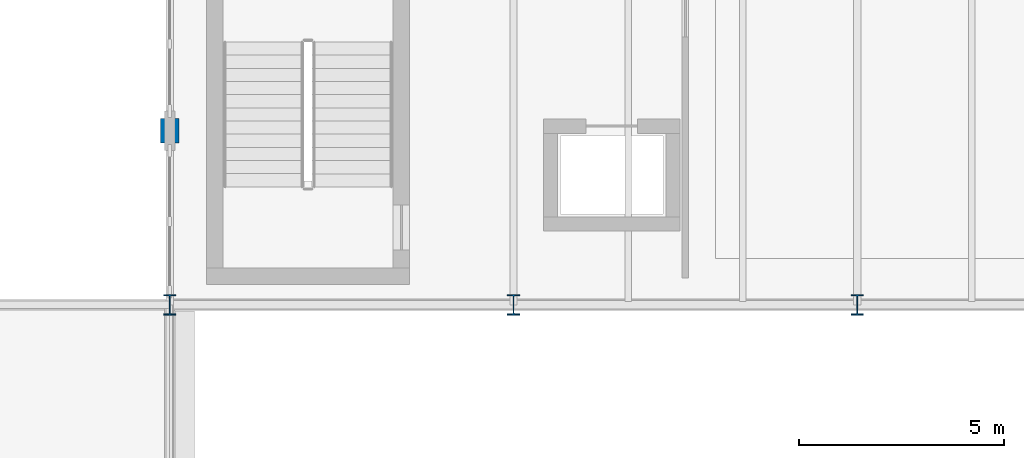
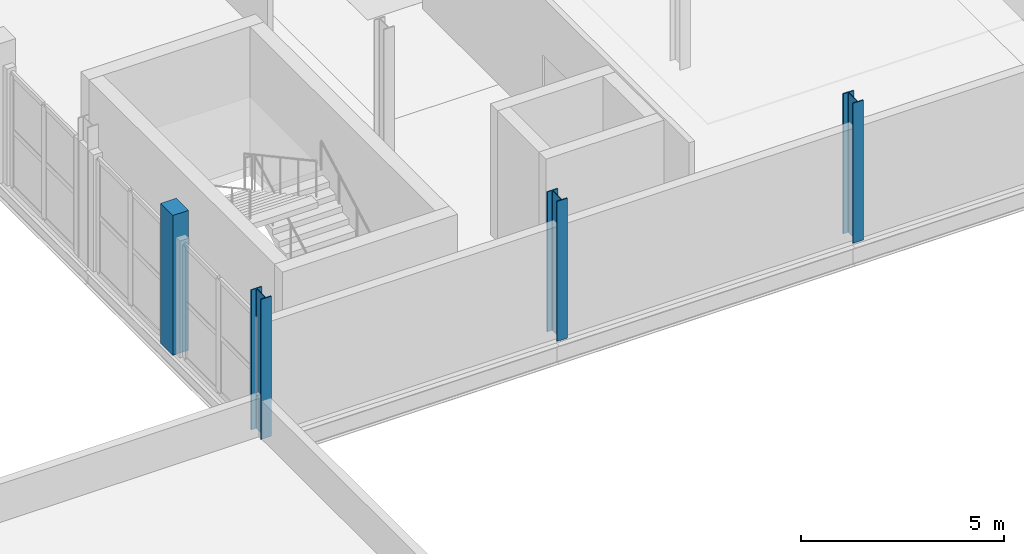
# One storey, part 2 of 58: 4 columns.
"""IFC4 building model written with IfcOpenShell, lengths in metres."""

from ifc_helpers import new_model, si_unit, direction, frame, origin, origin_2d, place, context, subcontext, project, spatial, rectangle, i_section, extrude, material, material_profile, profile_set, type_object, element, save


model = new_model("IFC4")

# Units and contexts
model_context = context("Model", 3, precision=1e-05, world=origin(), true_north=direction((0.0, 1.0)))
body_context = subcontext(model_context, "Body", "Model", "MODEL_VIEW")
ifc_project = project(units=[si_unit("LENGTHUNIT", "METRE"), si_unit("AREAUNIT", "SQUARE_METRE"), si_unit("VOLUMEUNIT", "CUBIC_METRE"), si_unit("PLANEANGLEUNIT", "RADIAN"), si_unit("MASSUNIT", "GRAM", prefix="KILO")], contexts=[model_context])

# Site, building, storey
site_placement = place(None, origin())
site = spatial("IfcSite", under=ifc_project, at=site_placement, CompositionType="ELEMENT")
building_placement = place(site_placement, origin())
building = spatial("IfcBuilding", under=site, at=building_placement, Name="Sefraquen Railside Congress Hotel", CompositionType="ELEMENT")
storey_placement = place(building_placement, frame((0.0, 0.0, 16.199951171875)))
storey = spatial("IfcBuildingStorey", under=building, at=storey_placement, Name="L03", CompositionType="ELEMENT", Elevation=16.199951171875)

# Columns
ifc_material_1 = material(Name="Steel S355JR", Category="steel")
ifc_material_profile_1 = material_profile(ifc_material_1, i_section(OverallWidth=0.300048828125, OverallDepth=0.5, WebThickness=0.014404296875, FlangeThickness=0.028076171875, FilletRadius=0.027099609375, at=origin_2d()), Name="HEB 500")
ifc_profile_set_1 = profile_set([ifc_material_profile_1], Name="Steel S355JR")
column_type_1 = type_object("IfcColumnType", Name="TC-HEB-500", PredefinedType="COLUMN", material=ifc_profile_set_1)
for number, where, z_axis, x_axis, name in (
    (1, (103.199951171875, 54.0, 0.0), (0.0, 0.0, 1.0), (1.0, 0.0, 0.0), "Structural column 14-G L03"),
    (2, (111.60009765625, 54.0, 0.0), (0.0, 0.0, 1.0), (1.0, 0.0, 0.0), "Structural column 15-G L03"),
    (3, (120.0, 54.0, 0.0), (0.0, 0.0, 1.0), (1.0, 0.0, 0.0), "Structural column 16-G L03"),
):
    element("IfcColumn", number, at=place(storey_placement, frame(where, z_axis=z_axis, x_axis=x_axis)), inside=storey, type_object=column_type_1, Name=name, PredefinedType="COLUMN", context=body_context, shape_type="SweptSolid", body=[
        extrude(i_section(OverallWidth=0.300048828125, OverallDepth=0.5, WebThickness=0.014404296875, FlangeThickness=0.028076171875, FilletRadius=0.027099609375, at=origin_2d()), origin(), (0.0, 0.0, 1.0), 4.199951171875),
    ])
ifc_material_2 = material(Name="Concrete C50/60", Category="concrete")
ifc_material_profile_2 = material_profile(ifc_material_2, rectangle(XDim=0.449951171875, YDim=0.60009765625, at=origin_2d()), Name="RC 600x450")
ifc_profile_set_2 = profile_set([ifc_material_profile_2], Name="Concrete C50/60")
column_type_2 = type_object("IfcColumnType", Name="TC-PIL-600", PredefinedType="PILASTER", material=ifc_profile_set_2)
column_placement = place(storey_placement, frame((103.199951171875, 58.25, 0.0), z_axis=(0.0, 0.0, 1.0), x_axis=(1.0, 0.0, 0.0)))
element("IfcColumn", 4, at=column_placement, inside=storey, type_object=column_type_2, Name="Courtyard limestone pilaster CPIL-E1 L03", PredefinedType="PILASTER", context=body_context, shape_type="SweptSolid", body=[
    extrude(rectangle(XDim=0.449951171875, YDim=0.60009765625, at=origin_2d()), origin(), (0.0, 0.0, 1.0), 4.199951171875),
])

save(model, "model.ifc")
